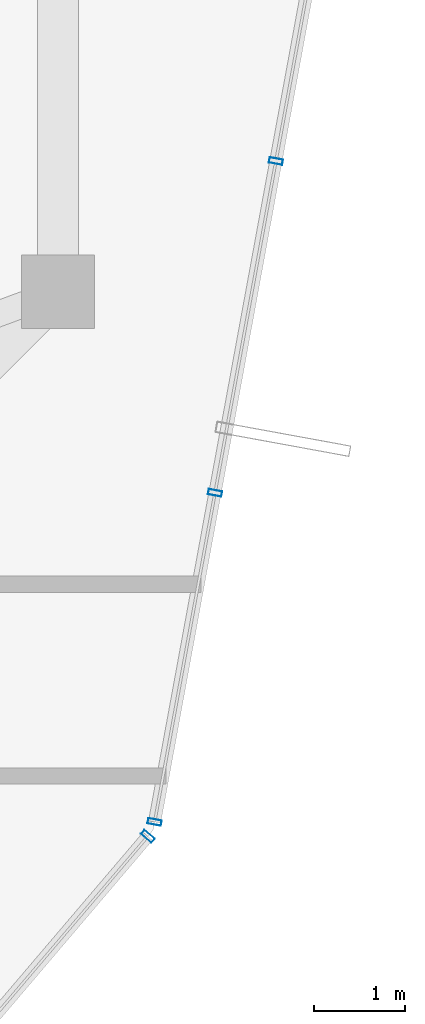
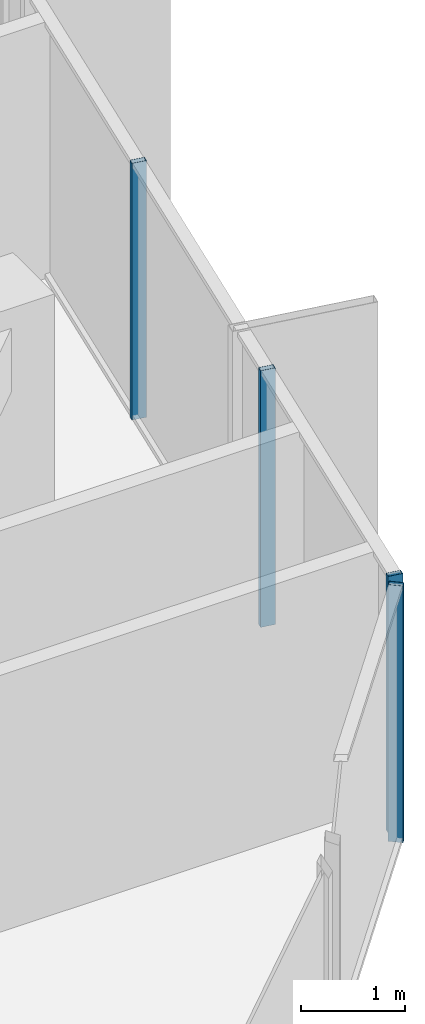
# One storey, part 18 of 29: 4 members, 2 elements without a shape of their own.
"""IFC4 building model written with IfcOpenShell, lengths in metres."""

from ifc_helpers import new_model, si_unit, direction, frame, origin, origin_2d, place, context, subcontext, project, spatial, hollow_rectangle, extrude, source, transform, mapped, material, layer, layer_set, material_profile, profile_set, type_object, element, aggregate, save


model = new_model("IFC4")

# Units and contexts
model_context = context("Model", 3, precision=1e-05, world=origin(), true_north=direction((0.0, 1.0)))
body_context = subcontext(model_context, "Body", "Model", "MODEL_VIEW")
ifc_project = project(units=[si_unit("LENGTHUNIT", "METRE"), si_unit("AREAUNIT", "SQUARE_METRE"), si_unit("VOLUMEUNIT", "CUBIC_METRE"), si_unit("PLANEANGLEUNIT", "RADIAN"), si_unit("MASSUNIT", "GRAM", prefix="KILO")], contexts=[model_context])

# Site, building, storey
site_placement = place(None, origin())
site = spatial("IfcSite", under=ifc_project, at=site_placement, CompositionType="ELEMENT")
building_placement = place(site_placement, origin())
building = spatial("IfcBuilding", under=site, at=building_placement, Name="Veraguas Prism Commons", CompositionType="ELEMENT")
storey_placement = place(building_placement, frame((0.0, 0.0, 244.75)))
storey = spatial("IfcBuildingStorey", under=building, at=storey_placement, Name="L69", CompositionType="ELEMENT", Elevation=244.75)

# Curtain wall, members
ifc_material = material(Name="Anodised aluminium EN AW-6063 T6", Category="aluminium")
ifc_layer = layer(ifc_material, 0.14990234375, Name="Unitised Flush Curtain Wall Zone 4", Category="aluminium")
ifc_layer_set = layer_set([ifc_layer], Name="Anodised aluminium EN AW-6063 T6")
curtain_wall_type = type_object("IfcCurtainWallType", Name="Unitised Flush Curtain Wall Zone 4", PredefinedType="NOTDEFINED", material=ifc_layer_set)
curtain_wall_1_placement = place(storey_placement, origin())
curtain_wall_1 = element("IfcCurtainWall", 1, at=curtain_wall_1_placement, inside=storey, type_object=curtain_wall_type, Name="Tower Facade Curtain Wall L69-F6", PredefinedType="NOTDEFINED")
ifc_material_profile = material_profile(ifc_material, hollow_rectangle(XDim=0.06005859375, YDim=0.14990234375, WallThickness=0.0029296875, at=origin_2d()), Name="AL60X150X3")
ifc_profile_set = profile_set([ifc_material_profile], Name="Anodised aluminium EN AW-6063 T6")
member_type = type_object("IfcMemberType", Name="Curtain Wall Mullion Upper AL 60x150x3", PredefinedType="MULLION", material=ifc_profile_set)
shared_shape = source(origin(), body_context, "Body", "SweptSolid", [
    extrude(hollow_rectangle(XDim=0.06005859375, YDim=0.14990234375, WallThickness=0.0029296875, at=origin_2d()), origin(), (0.0, 0.0, 1.0), 3.014892578125),
])
member_1_placement = place(storey_placement, frame((38.856689453125, 13.797119140625, 0.0), z_axis=(0.0, 0.0, 1.0), x_axis=(0.180524295216, 0.983570525604, 0.0)))
member_1 = element("IfcMember", 2, at=member_1_placement, type_object=member_type, Name="CW-Z4 Mullion 1", PredefinedType="MULLION", context=body_context, shape_type="MappedRepresentation", body=[
    mapped(shared_shape, transform((0.0, 0.0, 0.0), scale=1.0)),
])
member_2_placement = place(storey_placement, frame((39.517822265625, 17.398681640625, 0.0), z_axis=(0.0, 0.0, 1.0), x_axis=(0.180524295216, 0.983570525604, 0.0)))
member_2 = element("IfcMember", 3, at=member_2_placement, type_object=member_type, Name="CW-Z4 Mullion 2", PredefinedType="MULLION", context=body_context, shape_type="MappedRepresentation", body=[
    mapped(shared_shape, transform((0.0, 0.0, 0.0), scale=1.0)),
])
member_3_placement = place(storey_placement, frame((40.18408203125, 21.029541015625, 0.0), z_axis=(0.0, 0.0, 1.0), x_axis=(0.180524295216, 0.983570525604, 0.0)))
member_3 = element("IfcMember", 4, at=member_3_placement, type_object=member_type, Name="CW-Z4 Mullion 3", PredefinedType="MULLION", context=body_context, shape_type="MappedRepresentation", body=[
    mapped(shared_shape, transform((0.0, 0.0, 0.0), scale=1.0)),
])
aggregate(curtain_wall_1, [member_1, member_2, member_3])

# Curtain wall, member
curtain_wall_2_placement = place(storey_placement, origin())
curtain_wall_2 = element("IfcCurtainWall", 5, at=curtain_wall_2_placement, inside=storey, type_object=curtain_wall_type, Name="Chamfer Curtain Wall L69-C6", PredefinedType="NOTDEFINED")
member_4_placement = place(storey_placement, frame((38.7822265625, 13.64013671875, 0.0), z_axis=(0.0, 0.0, 1.0), x_axis=(0.648125217588, 0.761533782788, 0.0)))
member_4 = element("IfcMember", 6, at=member_4_placement, type_object=member_type, Name="CW-Z4 Mullion 2", PredefinedType="MULLION", context=body_context, shape_type="MappedRepresentation", body=[
    mapped(shared_shape, transform((0.0, 0.0, 0.0), scale=1.0)),
])
aggregate(curtain_wall_2, [member_4])

save(model, "model.ifc")
